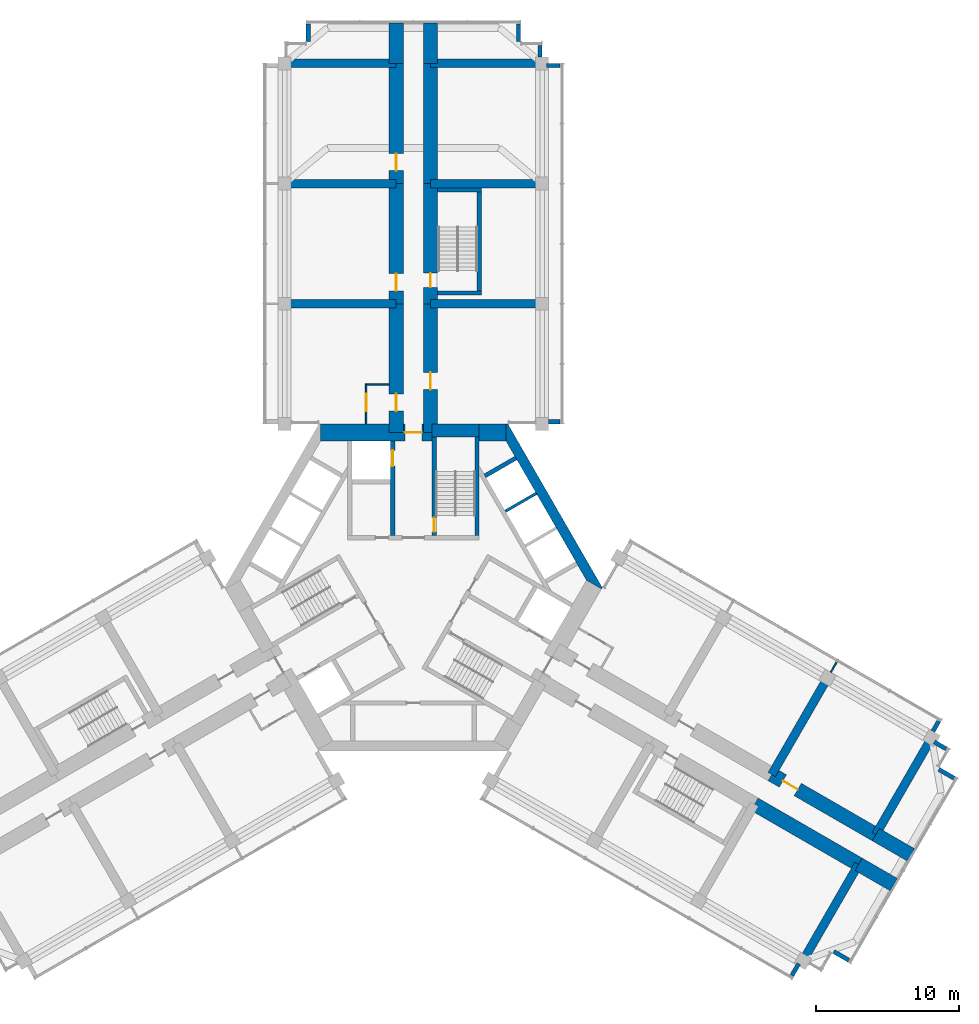
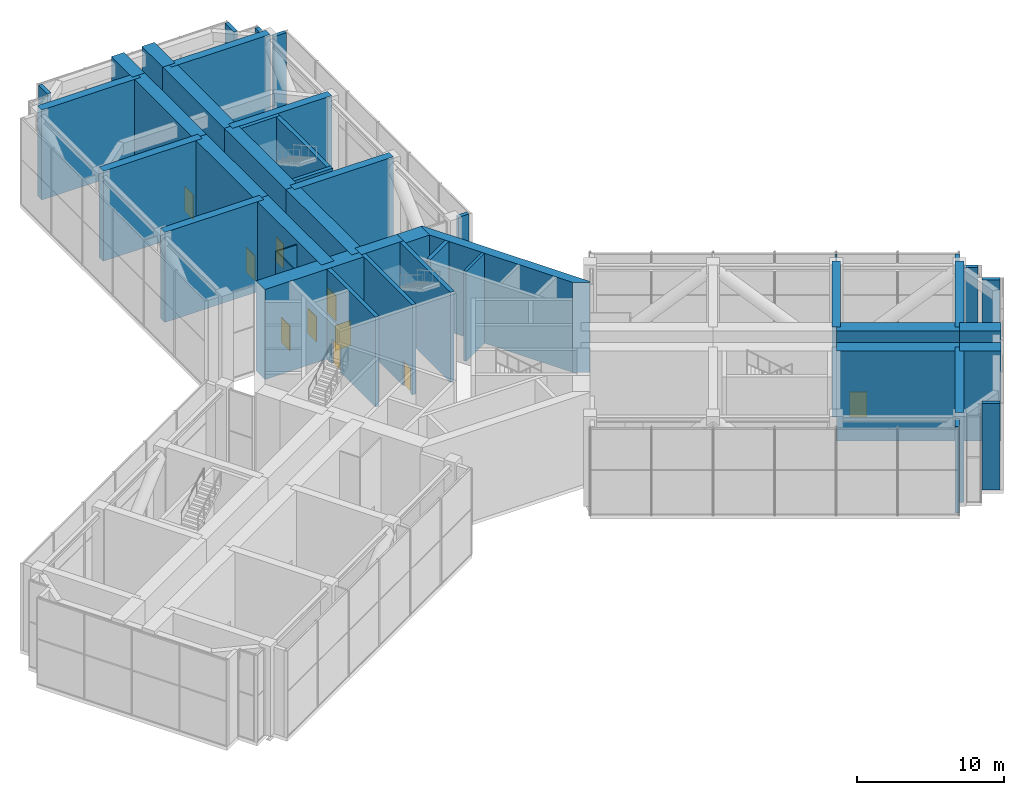
# One storey, part 14 of 16: 46 walls, 10 doors, 10 openings.
"""IFC4 building model written with IfcOpenShell, lengths in metres."""

from ifc_helpers import new_model, si_unit, direction, frame, frame_2d, origin, place, context, subcontext, project, spatial, polyline, rectangle, outline, extrude, material, layer, layer_set, type_object, element, fill, save


model = new_model("IFC4")

# Units and contexts
model_context = context("Model", 3, precision=1e-05, world=origin(), true_north=direction((0.0, 1.0)))
body_context = subcontext(model_context, "Body", "Model", "MODEL_VIEW")
ifc_project = project(units=[si_unit("LENGTHUNIT", "METRE"), si_unit("AREAUNIT", "SQUARE_METRE"), si_unit("VOLUMEUNIT", "CUBIC_METRE"), si_unit("PLANEANGLEUNIT", "RADIAN"), si_unit("MASSUNIT", "GRAM", prefix="KILO")], contexts=[model_context])

# Site, building, storey
site_placement = place(None, origin())
site = spatial("IfcSite", under=ifc_project, at=site_placement, CompositionType="ELEMENT")
building_placement = place(site_placement, origin())
building = spatial("IfcBuilding", under=site, at=building_placement, Name="Impinga Residences", CompositionType="ELEMENT")
storey_placement = place(building_placement, frame((0.0, 0.0, 181.0)))
storey = spatial("IfcBuildingStorey", under=building, at=storey_placement, Name="L45", CompositionType="ELEMENT", Elevation=181.0)

# Wall, opening, door
ifc_material_1 = material(Name="Concrete blockwork", Category="masonry")
ifc_layer_1 = layer(ifc_material_1, 0.10009765625)
ifc_layer_set_1 = layer_set([ifc_layer_1], Name="CP1 core room partition, blockwork 100")
wall_type_1 = type_object("IfcWallType", Name="CP1 core room partition, blockwork 100", PredefinedType="PARTITIONING", material=ifc_layer_set_1)
wall_1_placement = place(storey_placement, frame((-3.300048828125, 11.431640625, 0.0), z_axis=(0.0, 0.0, 1.0), x_axis=(0.0, 1.0, 0.0)))
wall_1 = element("IfcWall", 1, at=wall_1_placement, inside=storey, type_object=wall_type_1, Name="Core room partition, blockwork L45-NA1:L1", PredefinedType="PARTITIONING", context=body_context, shape_type="SweptSolid", body=[
    extrude(rectangle(XDim=2.7998046875, YDim=0.10009765625, at=frame_2d((1.39990234375, 0.0))), origin(), (0.0, 0.0, 1.0), 7.199951171875),
])
opening_1_placement = place(wall_1_placement, frame((0.89990234375, 0.0, 0.0)))
opening_1 = element("IfcOpeningElement", 2, at=opening_1_placement, cuts=wall_1, Name="Opening D3", PredefinedType="OPENING", context=body_context, shape_type="SweptSolid", body=[
    extrude(rectangle(XDim=1.199951171875, YDim=2.10009765625, at=frame_2d((0.60009765625, 1.050048828125))), frame((0.0, 0.06005859375, 0.0), z_axis=(0.0, -1.0, 0.0), x_axis=(1.0, 0.0, 0.0)), (0.0, 0.0, 1.0), 0.1201171875),
])
ifc_material_2 = material(Name="Timber door set", Category="wood")
door_type_1 = type_object("IfcDoorType", Name="D3 room door, leaf and a half 1200x2100", OperationType="DOUBLE_SWING_LEFT", PredefinedType="DOOR", material=ifc_material_2)
door_1_placement = place(opening_1_placement, origin())
door_1 = element("IfcDoor", 3, at=door_1_placement, inside=storey, type_object=door_type_1, Name="Booster pump plant room door L45-NA1", OperationType="DOUBLE_SWING_LEFT", OverallHeight=2.10009765625, OverallWidth=1.199951171875, PredefinedType="DOOR", context=body_context, shape_type="SweptSolid", body=[
    extrude(rectangle(XDim=1.199951171875, YDim=2.10009765625, at=frame_2d((0.60009765625, 1.050048828125))), frame((0.0, 0.02490234375, 0.0), z_axis=(0.0, -1.0, 0.0), x_axis=(1.0, 0.0, 0.0)), (0.0, 0.0, 1.0), 0.050048828125),
])
fill(opening_1, door_1)

# Walls
wall_2_placement = place(storey_placement, frame((-1.699951171875, 14.181640625, 0.0), z_axis=(0.0, 0.0, 1.0), x_axis=(-1.0, 0.0, 0.0)))
element("IfcWall", 4, at=wall_2_placement, inside=storey, type_object=wall_type_1, Name="Core room partition, blockwork L45-NA1:L2", PredefinedType="PARTITIONING", context=body_context, shape_type="SweptSolid", body=[
    extrude(rectangle(XDim=1.550048828125, YDim=0.10009765625, at=frame_2d((0.77490234375, 0.0))), origin(), (0.0, 0.0, 1.0), 7.199951171875),
])
wall_3_placement = place(storey_placement, frame((29.17431640625, -5.931884765625, 0.0), z_axis=(0.0, 0.0, 1.0), x_axis=(0.499739859431, 0.866175543926, 0.0)))
element("IfcWall", 5, at=wall_3_placement, inside=storey, type_object=wall_type_1, Name="Core room partition, blockwork L45-EA1:PS2b", PredefinedType="PARTITIONING", context=body_context, shape_type="SweptSolid", body=[
    extrude(rectangle(XDim=0.8095703125, YDim=0.10009765625, at=frame_2d((0.40478515625, 0.0))), origin(), (0.0, 0.0, 1.0), 7.199951171875),
])
ifc_material_3 = material(Name="Stone facing on blockwork", Category="masonry")
ifc_layer_2 = layer(ifc_material_3, 0.300048828125)
ifc_layer_set_2 = layer_set([ifc_layer_2], Name="EW2 external wall, stone facing on blockwork 300")
wall_type_2 = type_object("IfcWallType", Name="EW2 external wall, stone facing on blockwork 300", PredefinedType="SOLIDWALL", material=ifc_layer_set_2)
for number, where, z_axis, x_axis, name in (
    (6, (-7.35009765625, 38.174072265625, 0.0), (0.0, 0.0, 1.0), (0.0, 1.0, 0.0), "External wall EW2 L45"),
    (7, (7.35009765625, 39.388916015625, 0.0), (0.0, 0.0, 1.0), (0.0, -1.0, 0.0), "External wall EW2 L45"),
):
    element("IfcWall", number, at=place(storey_placement, frame(where, z_axis=z_axis, x_axis=x_axis)), inside=storey, type_object=wall_type_2, Name=name, PredefinedType="SOLIDWALL", context=body_context, shape_type="SweptSolid", body=[
        extrude(rectangle(XDim=1.21484375, YDim=0.300048828125, at=frame_2d((0.607421875, 0.0))), origin(), (0.0, 0.0, 1.0), 7.199951171875),
    ])
wall_4_placement = place(storey_placement, frame((8.85009765625, 37.888916015625, 0.0), z_axis=(0.0, 0.0, 1.0), x_axis=(0.0, -1.0, 0.0)))
element("IfcWall", 8, at=wall_4_placement, inside=storey, type_object=wall_type_2, Name="External wall EW2 L45", PredefinedType="SOLIDWALL", context=body_context, shape_type="SweptSolid", body=[
    extrude(rectangle(XDim=0.804443359375, YDim=0.300048828125, at=frame_2d((0.40234375, 0.0))), origin(), (0.0, 0.0, 1.0), 7.199951171875),
])
wall_5_placement = place(storey_placement, frame((9.300048828125, 36.4814453125, 0.0), z_axis=(0.0, 0.0, 1.0), x_axis=(1.0, 0.0, 0.0)))
element("IfcWall", 9, at=wall_5_placement, inside=storey, type_object=wall_type_2, Name="External wall EW2 L45", PredefinedType="SOLIDWALL", context=body_context, shape_type="SweptSolid", body=[
    extrude(rectangle(XDim=0.95751953125, YDim=0.300048828125, at=frame_2d((0.478759765625, 0.0))), origin(), (0.0, 0.0, 1.0), 7.199951171875),
])
wall_6_placement = place(storey_placement, frame((10.257568359375, 11.58154296875, 0.0), z_axis=(0.0, 0.0, 1.0), x_axis=(-1.0, 0.0, 0.0)))
element("IfcWall", 10, at=wall_6_placement, inside=storey, type_object=wall_type_2, Name="External wall EW2 L45", PredefinedType="SOLIDWALL", context=body_context, shape_type="SweptSolid", body=[
    extrude(rectangle(XDim=0.8046875, YDim=0.300048828125, at=frame_2d((0.40234375, 0.0))), origin(), (0.0, 0.0, 1.0), 7.199951171875),
])
wall_7_placement = place(storey_placement, frame((36.72265625, -9.357421875, 0.0), z_axis=(0.0, 0.0, 1.0), x_axis=(-0.4998275386, -0.866124951527, 0.0)))
element("IfcWall", 11, at=wall_7_placement, inside=storey, type_object=wall_type_2, Name="External wall EW2 L45", PredefinedType="SOLIDWALL", context=body_context, shape_type="SweptSolid", body=[
    extrude(rectangle(XDim=0.804443359375, YDim=0.300048828125, at=frame_2d((0.40234375, 0.0))), origin(), (0.0, 0.0, 1.0), 7.199951171875),
])
wall_8_placement = place(storey_placement, frame((36.40869140625, -10.801513671875, 0.0), z_axis=(0.0, 0.0, 1.0), x_axis=(0.865990234582, -0.500060909899, 0.0)))
element("IfcWall", 12, at=wall_8_placement, inside=storey, type_object=wall_type_2, Name="External wall EW2 L45", PredefinedType="SOLIDWALL", context=body_context, shape_type="SweptSolid", body=[
    extrude(rectangle(XDim=0.95751953125, YDim=0.300048828125, at=frame_2d((0.478759765625, 0.0))), origin(), (0.0, 0.0, 1.0), 7.199951171875),
])
for number, where, z_axis, x_axis, name in (
    (13, (36.734619140625, -12.7216796875, 0.0), (0.0, 0.0, 1.0), (0.865971428223, -0.500093476763, 0.0), "External wall EW2 L45"),
    (14, (30.43701171875, -26.059814453125, 0.0), (0.0, 0.0, 1.0), (-0.866058436235, 0.499942781752, 0.0), "External wall EW2 L45"),
):
    element("IfcWall", number, at=place(storey_placement, frame(where, z_axis=z_axis, x_axis=x_axis)), inside=storey, type_object=wall_type_2, Name=name, PredefinedType="SOLIDWALL", context=body_context, shape_type="SweptSolid", body=[
        extrude(rectangle(XDim=1.215087890625, YDim=0.300048828125, at=frame_2d((0.607421875, 0.0))), origin(), (0.0, 0.0, 1.0), 7.199951171875),
    ])
wall_9_placement = place(storey_placement, frame((26.94384765625, -26.294921875, 0.0), z_axis=(0.0, 0.0, 1.0), x_axis=(-0.500060909899, -0.865990234582, 0.0)))
element("IfcWall", 15, at=wall_9_placement, inside=storey, type_object=wall_type_2, Name="External wall EW2 L45", PredefinedType="SOLIDWALL", context=body_context, shape_type="SweptSolid", body=[
    extrude(rectangle(XDim=0.95751953125, YDim=0.300048828125, at=frame_2d((0.478759765625, 0.0))), origin(), (0.0, 0.0, 1.0), 7.199951171875),
])

# Wall, opening, door
ifc_material_4 = material(Name="Concrete C60/75", Category="concrete")
ifc_layer_3 = layer(ifc_material_4, 1.0)
ifc_layer_set_3 = layer_set([ifc_layer_3], Name="Concrete C60/75")
wall_type_3 = type_object("IfcWallType", Name="OW1 outrigger wall on the corridor line 1000", PredefinedType="SHEAR", material=ifc_layer_set_3)
wall_10_placement = place(storey_placement, frame((-1.199951171875, 10.83154296875, 0.0), z_axis=(0.0, 0.0, 1.0), x_axis=(0.0, 1.0, 0.0)))
wall_10 = element("IfcWall", 16, at=wall_10_placement, inside=storey, type_object=wall_type_3, Name="Corridor wall OW1 NC L45", PredefinedType="SHEAR", context=body_context, shape_type="SweptSolid", body=[
    extrude(rectangle(XDim=9.0, YDim=1.0, at=frame_2d((4.5, 0.0))), origin(), (0.0, 0.0, 1.0), 7.5),
])
opening_2_placement = place(wall_10_placement, frame((1.5, 0.0, 0.0)))
opening_2 = element("IfcOpeningElement", 17, at=opening_2_placement, cuts=wall_10, Name="Opening D3", PredefinedType="OPENING", context=body_context, shape_type="SweptSolid", body=[
    extrude(rectangle(XDim=1.199951171875, YDim=2.10009765625, at=frame_2d((0.60009765625, 1.050048828125))), frame((0.0, 0.510009765625, 0.0), z_axis=(0.0, -1.0, 0.0), x_axis=(1.0, 0.0, 0.0)), (0.0, 0.0, 1.0), 1.02001953125),
])
door_2_placement = place(opening_2_placement, origin())
door_2 = element("IfcDoor", 18, at=door_2_placement, inside=storey, type_object=door_type_1, Name="Plant room lobby door L45-NA1", OperationType="DOUBLE_SWING_LEFT", OverallHeight=2.10009765625, OverallWidth=1.199951171875, PredefinedType="DOOR", context=body_context, shape_type="SweptSolid", body=[
    extrude(rectangle(XDim=1.199951171875, YDim=2.10009765625, at=frame_2d((0.60009765625, 1.050048828125))), frame((0.0, 0.02490234375, 0.0), z_axis=(0.0, -1.0, 0.0), x_axis=(1.0, 0.0, 0.0)), (0.0, 0.0, 1.0), 0.050048828125),
])
fill(opening_2, door_2)

wall_11_placement = place(storey_placement, frame((-1.199951171875, 19.83154296875, 0.0), z_axis=(0.0, 0.0, 1.0), x_axis=(0.0, 1.0, 0.0)))
wall_11 = element("IfcWall", 19, at=wall_11_placement, inside=storey, type_object=wall_type_3, Name="Corridor wall OW1 NC L45", PredefinedType="SHEAR", context=body_context, shape_type="SweptSolid", body=[
    extrude(rectangle(XDim=8.39990234375, YDim=1.0, at=frame_2d((4.199951171875, 0.0))), origin(), (0.0, 0.0, 1.0), 7.5),
])
opening_3_placement = place(wall_11_placement, frame((0.89990234375, 0.0, 0.0)))
opening_3 = element("IfcOpeningElement", 20, at=opening_3_placement, cuts=wall_11, Name="Opening D3", PredefinedType="OPENING", context=body_context, shape_type="SweptSolid", body=[
    extrude(rectangle(XDim=1.199951171875, YDim=2.10009765625, at=frame_2d((0.60009765625, 1.050048828125))), frame((0.0, 0.510009765625, 0.0), z_axis=(0.0, -1.0, 0.0), x_axis=(1.0, 0.0, 0.0)), (0.0, 0.0, 1.0), 1.02001953125),
])
door_3_placement = place(opening_3_placement, origin())
door_3 = element("IfcDoor", 21, at=door_3_placement, inside=storey, type_object=door_type_1, Name="Air handling plant room door L45-NA1", OperationType="DOUBLE_SWING_LEFT", OverallHeight=2.10009765625, OverallWidth=1.199951171875, PredefinedType="DOOR", context=body_context, shape_type="SweptSolid", body=[
    extrude(rectangle(XDim=1.199951171875, YDim=2.10009765625, at=frame_2d((0.60009765625, 1.050048828125))), frame((0.0, 0.02490234375, 0.0), z_axis=(0.0, -1.0, 0.0), x_axis=(1.0, 0.0, 0.0)), (0.0, 0.0, 1.0), 0.050048828125),
])
fill(opening_3, door_3)

wall_12_placement = place(storey_placement, frame((-1.199951171875, 28.2314453125, 0.0), z_axis=(0.0, 0.0, 1.0), x_axis=(0.0, 1.0, 0.0)))
wall_12 = element("IfcWall", 22, at=wall_12_placement, inside=storey, type_object=wall_type_3, Name="Corridor wall OW1 NC L45", PredefinedType="SHEAR", context=body_context, shape_type="SweptSolid", body=[
    extrude(rectangle(XDim=8.400146484375, YDim=1.0, at=frame_2d((4.2001953125, 0.0))), origin(), (0.0, 0.0, 1.0), 7.5),
])
opening_4_placement = place(wall_12_placement, frame((0.89990234375, 0.0, 0.0)))
opening_4 = element("IfcOpeningElement", 23, at=opening_4_placement, cuts=wall_12, Name="Opening D3", PredefinedType="OPENING", context=body_context, shape_type="SweptSolid", body=[
    extrude(rectangle(XDim=1.199951171875, YDim=2.10009765625, at=frame_2d((0.60009765625, 1.050048828125))), frame((0.0, 0.510009765625, 0.0), z_axis=(0.0, -1.0, 0.0), x_axis=(1.0, 0.0, 0.0)), (0.0, 0.0, 1.0), 1.02001953125),
])
door_4_placement = place(opening_4_placement, origin())
door_4 = element("IfcDoor", 24, at=door_4_placement, inside=storey, type_object=door_type_1, Name="Electrical switchgear plant room door L45-NA1", OperationType="DOUBLE_SWING_LEFT", OverallHeight=2.10009765625, OverallWidth=1.199951171875, PredefinedType="DOOR", context=body_context, shape_type="SweptSolid", body=[
    extrude(rectangle(XDim=1.199951171875, YDim=2.10009765625, at=frame_2d((0.60009765625, 1.050048828125))), frame((0.0, 0.02490234375, 0.0), z_axis=(0.0, -1.0, 0.0), x_axis=(1.0, 0.0, 0.0)), (0.0, 0.0, 1.0), 0.050048828125),
])
fill(opening_4, door_4)

# Wall
wall_13_placement = place(storey_placement, frame((-1.199951171875, 36.631591796875, 0.0), z_axis=(0.0, 0.0, 1.0), x_axis=(0.0, 1.0, 0.0)))
element("IfcWall", 25, at=wall_13_placement, inside=storey, type_object=wall_type_3, Name="Corridor wall OW1 NC L45", PredefinedType="SHEAR", context=body_context, shape_type="SweptSolid", body=[
    extrude(rectangle(XDim=2.8388671875, YDim=1.0, at=frame_2d((1.41943359375, 0.0))), origin(), (0.0, 0.0, 1.0), 7.5),
])

# Wall, opening, door
wall_14_placement = place(storey_placement, frame((1.199951171875, 10.83154296875, 0.0), z_axis=(0.0, 0.0, 1.0), x_axis=(0.0, 1.0, 0.0)))
wall_14 = element("IfcWall", 26, at=wall_14_placement, inside=storey, type_object=wall_type_3, Name="Corridor wall OW1 ND L45", PredefinedType="SHEAR", context=body_context, shape_type="SweptSolid", body=[
    extrude(rectangle(XDim=9.0, YDim=1.0, at=frame_2d((4.5, 0.0))), origin(), (0.0, 0.0, 1.0), 7.5),
])
opening_5_placement = place(wall_14_placement, frame((3.0, 0.0, 0.0)))
opening_5 = element("IfcOpeningElement", 27, at=opening_5_placement, cuts=wall_14, Name="Opening D3", PredefinedType="OPENING", context=body_context, shape_type="SweptSolid", body=[
    extrude(rectangle(XDim=1.199951171875, YDim=2.10009765625, at=frame_2d((0.60009765625, 1.050048828125))), frame((0.0, 0.510009765625, 0.0), z_axis=(0.0, -1.0, 0.0), x_axis=(1.0, 0.0, 0.0)), (0.0, 0.0, 1.0), 1.02001953125),
])
door_5_placement = place(opening_5_placement, origin())
door_5 = element("IfcDoor", 28, at=door_5_placement, inside=storey, type_object=door_type_1, Name="Refuge area door L45-NF1", OperationType="DOUBLE_SWING_LEFT", OverallHeight=2.10009765625, OverallWidth=1.199951171875, PredefinedType="DOOR", context=body_context, shape_type="SweptSolid", body=[
    extrude(rectangle(XDim=1.199951171875, YDim=2.10009765625, at=frame_2d((0.60009765625, 1.050048828125))), frame((0.0, 0.02490234375, 0.0), z_axis=(0.0, -1.0, 0.0), x_axis=(1.0, 0.0, 0.0)), (0.0, 0.0, 1.0), 0.050048828125),
])
fill(opening_5, door_5)

wall_15_placement = place(storey_placement, frame((1.199951171875, 19.83154296875, 0.0), z_axis=(0.0, 0.0, 1.0), x_axis=(0.0, 1.0, 0.0)))
wall_15 = element("IfcWall", 29, at=wall_15_placement, inside=storey, type_object=wall_type_3, Name="Corridor wall OW1 ND L45", PredefinedType="SHEAR", context=body_context, shape_type="SweptSolid", body=[
    extrude(rectangle(XDim=8.39990234375, YDim=1.0, at=frame_2d((4.199951171875, 0.0))), origin(), (0.0, 0.0, 1.0), 7.5),
])
opening_6_placement = place(wall_15_placement, frame((1.14990234375, 0.0, 0.0)))
opening_6 = element("IfcOpeningElement", 30, at=opening_6_placement, cuts=wall_15, Name="Opening D5", PredefinedType="OPENING", context=body_context, shape_type="SweptSolid", body=[
    extrude(rectangle(XDim=1.0, YDim=2.10009765625, at=frame_2d((0.5, 1.050048828125))), frame((0.0, 0.510009765625, 0.0), z_axis=(0.0, -1.0, 0.0), x_axis=(1.0, 0.0, 0.0)), (0.0, 0.0, 1.0), 1.02001953125),
])
door_type_2 = type_object("IfcDoorType", Name="D5 stair door 1000x2100", OperationType="SINGLE_SWING_LEFT", PredefinedType="DOOR", material=ifc_material_2)
door_6_placement = place(opening_6_placement, origin())
door_6 = element("IfcDoor", 31, at=door_6_placement, inside=storey, type_object=door_type_2, Name="Wing stair door N", OperationType="SINGLE_SWING_LEFT", OverallHeight=2.10009765625, OverallWidth=1.0, PredefinedType="DOOR", context=body_context, shape_type="SweptSolid", body=[
    extrude(rectangle(XDim=1.0, YDim=2.10009765625, at=frame_2d((0.5, 1.050048828125))), frame((0.0, 0.02490234375, 0.0), z_axis=(0.0, -1.0, 0.0), x_axis=(1.0, 0.0, 0.0)), (0.0, 0.0, 1.0), 0.050048828125),
])
fill(opening_6, door_6)

# Walls
wall_16_placement = place(storey_placement, frame((1.199951171875, 28.2314453125, 0.0), z_axis=(0.0, 0.0, 1.0), x_axis=(0.0, 1.0, 0.0)))
element("IfcWall", 32, at=wall_16_placement, inside=storey, type_object=wall_type_3, Name="Corridor wall OW1 ND L45", PredefinedType="SHEAR", context=body_context, shape_type="SweptSolid", body=[
    extrude(rectangle(XDim=8.400146484375, YDim=1.0, at=frame_2d((4.2001953125, 0.0))), origin(), (0.0, 0.0, 1.0), 7.5),
])
wall_17_placement = place(storey_placement, frame((1.199951171875, 36.631591796875, 0.0), z_axis=(0.0, 0.0, 1.0), x_axis=(0.0, 1.0, 0.0)))
element("IfcWall", 33, at=wall_17_placement, inside=storey, type_object=wall_type_3, Name="Corridor wall OW1 ND L45", PredefinedType="SHEAR", context=body_context, shape_type="SweptSolid", body=[
    extrude(rectangle(XDim=2.8388671875, YDim=1.0, at=frame_2d((1.41943359375, 0.0))), origin(), (0.0, 0.0, 1.0), 7.5),
])

# Wall, opening, door
wall_18_placement = place(storey_placement, frame((25.04931640625, -13.076416015625, 0.0), z_axis=(0.0, 0.0, 1.0), x_axis=(0.866009402589, -0.500027713859, 0.0)))
wall_18 = element("IfcWall", 34, at=wall_18_placement, inside=storey, type_object=wall_type_3, Name="Corridor wall OW1 EC L45", PredefinedType="SHEAR", context=body_context, shape_type="SweptSolid", body=[
    extrude(rectangle(XDim=8.39990234375, YDim=1.0, at=frame_2d((4.199951171875, 0.0))), origin(), (0.0, 0.0, 1.0), 7.5),
])
opening_7_placement = place(wall_18_placement, frame((0.89990234375, 0.0, 0.0)))
opening_7 = element("IfcOpeningElement", 35, at=opening_7_placement, cuts=wall_18, Name="Opening D3", PredefinedType="OPENING", context=body_context, shape_type="SweptSolid", body=[
    extrude(rectangle(XDim=1.199951171875, YDim=2.10009765625, at=frame_2d((0.60009765625, 1.050048828125))), frame((0.0, 0.510009765625, 0.0), z_axis=(0.0, -1.0, 0.0), x_axis=(1.0, 0.0, 0.0)), (0.0, 0.0, 1.0), 1.02001953125),
])
door_7_placement = place(opening_7_placement, origin())
door_7 = element("IfcDoor", 36, at=door_7_placement, inside=storey, type_object=door_type_1, Name="Fire pump plant room door L45-EA1", OperationType="DOUBLE_SWING_LEFT", OverallHeight=2.10009765625, OverallWidth=1.199951171875, PredefinedType="DOOR", context=body_context, shape_type="SweptSolid", body=[
    extrude(rectangle(XDim=1.199951171875, YDim=2.10009765625, at=frame_2d((0.60009765625, 1.050048828125))), frame((0.0, 0.02490234375, 0.0), z_axis=(0.0, -1.0, 0.0), x_axis=(1.0, 0.0, 0.0)), (0.0, 0.0, 1.0), 0.050048828125),
])
fill(opening_7, door_7)

# Walls
wall_19_placement = place(storey_placement, frame((32.32373046875, -17.276611328125, 0.0), z_axis=(0.0, 0.0, 1.0), x_axis=(0.866043818878, -0.499968102766, 0.0)))
element("IfcWall", 37, at=wall_19_placement, inside=storey, type_object=wall_type_3, Name="Corridor wall OW1 EC L45", PredefinedType="SHEAR", context=body_context, shape_type="SweptSolid", body=[
    extrude(rectangle(XDim=2.839111328125, YDim=1.0, at=frame_2d((1.41943359375, 0.0))), origin(), (0.0, 0.0, 1.0), 7.5),
])
wall_20_placement = place(storey_placement, frame((23.84912109375, -15.155029296875, 0.0), z_axis=(0.0, 0.0, 1.0), x_axis=(0.86602925447, -0.499993330357, 0.0)))
element("IfcWall", 38, at=wall_20_placement, inside=storey, type_object=wall_type_3, Name="Corridor wall OW1 ED L45", PredefinedType="SHEAR", context=body_context, shape_type="SweptSolid", body=[
    extrude(rectangle(XDim=8.39990234375, YDim=1.0, at=frame_2d((4.199951171875, 0.0))), origin(), (0.0, 0.0, 1.0), 7.5),
])
wall_21_placement = place(storey_placement, frame((31.123779296875, -19.35498046875, 0.0), z_axis=(0.0, 0.0, 1.0), x_axis=(0.866043818878, -0.499968102766, 0.0)))
element("IfcWall", 39, at=wall_21_placement, inside=storey, type_object=wall_type_3, Name="Corridor wall OW1 ED L45", PredefinedType="SHEAR", context=body_context, shape_type="SweptSolid", body=[
    extrude(rectangle(XDim=2.839111328125, YDim=1.0, at=frame_2d((1.41943359375, 0.0))), origin(), (0.0, 0.0, 1.0), 7.5),
])
ifc_layer_4 = layer(ifc_material_4, 0.60009765625)
ifc_layer_set_4 = layer_set([ifc_layer_4], Name="Concrete C60/75")
wall_type_4 = type_object("IfcWallType", Name="OW2 outrigger arm wall to the perimeter columns 600", PredefinedType="SHEAR", material=ifc_layer_set_4)
for number, where, z_axis, x_axis, name in (
    (40, (-1.199951171875, 19.83154296875, 0.0), (0.0, 0.0, 1.0), (-1.0, 0.0, 0.0), "Outrigger wall OW2 N2/NA L45"),
    (41, (1.199951171875, 19.83154296875, 0.0), (0.0, 0.0, 1.0), (1.0, 0.0, 0.0), "Outrigger wall OW2 N2/NF L45"),
    (42, (-1.199951171875, 28.2314453125, 0.0), (0.0, 0.0, 1.0), (-1.0, 0.0, 0.0), "Outrigger wall OW2 N3/NA L45"),
    (43, (1.199951171875, 28.2314453125, 0.0), (0.0, 0.0, 1.0), (1.0, 0.0, 0.0), "Outrigger wall OW2 N3/NF L45"),
    (44, (-1.199951171875, 36.631591796875, 0.0), (0.0, 0.0, 1.0), (-1.0, 0.0, 0.0), "Outrigger wall OW2 N4/NA L45"),
    (45, (1.199951171875, 36.631591796875, 0.0), (0.0, 0.0, 1.0), (1.0, 0.0, 0.0), "Outrigger wall OW2 N4/NF L45"),
):
    element("IfcWall", number, at=place(storey_placement, frame(where, z_axis=z_axis, x_axis=x_axis)), inside=storey, type_object=wall_type_4, Name=name, PredefinedType="SHEAR", context=body_context, shape_type="SweptSolid", body=[
        extrude(rectangle(XDim=7.800048828125, YDim=0.60009765625, at=frame_2d((3.89990234375, 0.0))), origin(), (0.0, 0.0, 1.0), 7.5),
    ])
wall_22_placement = place(storey_placement, frame((25.04931640625, -13.076416015625, 0.0), z_axis=(0.0, 0.0, 1.0), x_axis=(0.499997012787, 0.866027128446, 0.0)))
element("IfcWall", 46, at=wall_22_placement, inside=storey, type_object=wall_type_4, Name="Outrigger wall OW2 E3/EA L45", PredefinedType="SHEAR", context=body_context, shape_type="SweptSolid", body=[
    extrude(rectangle(XDim=7.7998046875, YDim=0.60009765625, at=frame_2d((3.89990234375, 0.0))), origin(), (0.0, 0.0, 1.0), 7.5),
])
wall_23_placement = place(storey_placement, frame((32.32373046875, -17.276611328125, 0.0), z_axis=(0.0, 0.0, 1.0), x_axis=(0.500006934395, 0.866021400173, 0.0)))
element("IfcWall", 47, at=wall_23_placement, inside=storey, type_object=wall_type_4, Name="Outrigger wall OW2 E4/EA L45", PredefinedType="SHEAR", context=body_context, shape_type="SweptSolid", body=[
    extrude(rectangle(XDim=7.80029296875, YDim=0.60009765625, at=frame_2d((3.900146484375, 0.0))), origin(), (0.0, 0.0, 1.0), 7.5),
])
wall_24_placement = place(storey_placement, frame((31.123779296875, -19.35498046875, 0.0), z_axis=(0.0, 0.0, 1.0), x_axis=(-0.499983459557, -0.866034953203, 0.0)))
element("IfcWall", 48, at=wall_24_placement, inside=storey, type_object=wall_type_4, Name="Outrigger wall OW2 E4/EF L45", PredefinedType="SHEAR", context=body_context, shape_type="SweptSolid", body=[
    extrude(rectangle(XDim=7.800048828125, YDim=0.60009765625, at=frame_2d((3.89990234375, 0.0))), origin(), (0.0, 0.0, 1.0), 7.5),
])
ifc_layer_5 = layer(ifc_material_4, 0.300048828125)
ifc_layer_set_5 = layer_set([ifc_layer_5], Name="Concrete C60/75")
wall_type_5 = type_object("IfcWallType", Name="SE1 wing stair enclosure wall 300", PredefinedType="SOLIDWALL", material=ifc_layer_set_5)
for number, where, z_axis, x_axis, name in (
    (49, (1.699951171875, 20.58154296875, 0.0), (0.0, 0.0, 1.0), (1.0, 0.0, 0.0), "Stair enclosure wall SE1 N END0 L45"),
    (50, (1.699951171875, 27.781494140625, 0.0), (0.0, 0.0, 1.0), (1.0, 0.0, 0.0), "Stair enclosure wall SE1 N END1 L45"),
):
    element("IfcWall", number, at=place(storey_placement, frame(where, z_axis=z_axis, x_axis=x_axis)), inside=storey, type_object=wall_type_5, Name=name, PredefinedType="SOLIDWALL", context=body_context, shape_type="SweptSolid", body=[
        extrude(rectangle(XDim=3.050048828125, YDim=0.300048828125, at=frame_2d((1.52490234375, 0.0))), origin(), (0.0, 0.0, 1.0), 7.5),
    ])
wall_25_placement = place(storey_placement, frame((4.60009765625, 20.7314453125, 0.0), z_axis=(0.0, 0.0, 1.0), x_axis=(0.0, 1.0, 0.0)))
element("IfcWall", 51, at=wall_25_placement, inside=storey, type_object=wall_type_5, Name="Stair enclosure wall SE1 N OUT L45", PredefinedType="SOLIDWALL", context=body_context, shape_type="SweptSolid", body=[
    extrude(rectangle(XDim=6.900146484375, YDim=0.300048828125, at=frame_2d((3.4501953125, 0.0))), origin(), (0.0, 0.0, 1.0), 7.5),
])
ifc_material_5 = material(Name="Concrete C70/85", Category="concrete")
ifc_layer_6 = layer(ifc_material_5, 0.89990234375)
ifc_layer_set_6 = layer_set([ifc_layer_6], Name="Concrete C70/85")
wall_type_6 = type_object("IfcWallType", Name="SW1 core wall 900", PredefinedType="SHEAR", material=ifc_layer_set_6)
wall_26_placement = place(storey_placement, frame((1.300048828125, 10.9814453125, 0.0), z_axis=(0.0, 0.0, 1.0), x_axis=(1.0, 0.0, 0.0)))
element("IfcWall", 52, at=wall_26_placement, inside=storey, type_object=wall_type_6, Name="Core wall SW1 N:FACE:ST L45", PredefinedType="SHEAR", context=body_context, shape_type="SweptSolid", body=[
    extrude(rectangle(XDim=3.300048828125, YDim=0.89990234375, at=frame_2d((1.64990234375, 0.0))), origin(), (0.0, 0.0, 1.0), 7.5),
])
ifc_layer_7 = layer(ifc_material_4, 0.699951171875)
ifc_layer_set_7 = layer_set([ifc_layer_7], Name="Concrete C60/75")
wall_type_7 = type_object("IfcWallType", Name="SW3 core wall 700", PredefinedType="SHEAR", material=ifc_layer_set_7)
wall_27_placement = place(storey_placement, origin())
element("IfcWall", 53, at=wall_27_placement, inside=storey, type_object=wall_type_7, Name="Core wall SW3 W:EXPOSED L45", PredefinedType="SHEAR", context=body_context, shape_type="SweptSolid", body=[
    extrude(outline(polyline([(13.199951171875, 0.0), (6.60009765625, 11.431640625), (6.484619140625, 11.431640625), (6.484619140625, 10.2314453125), (12.10302734375, 0.5), (13.142333984375, -0.10009765625), (13.199951171875, 0.0)])), origin(), (0.0, 0.0, 1.0), 7.5),
])

# Wall, opening, door
ifc_layer_8 = layer(ifc_material_5, 0.300048828125)
ifc_layer_set_8 = layer_set([ifc_layer_8], Name="Concrete C70/85")
wall_type_8 = type_object("IfcWallType", Name="SW5 core inner wall, stairs, shafts and lobbies 300", PredefinedType="SHEAR", material=ifc_layer_set_8)
wall_28_placement = place(storey_placement, frame((1.449951171875, 3.6298828125, 0.0), z_axis=(0.0, 0.0, 1.0), x_axis=(0.0, 1.0, 0.0)))
wall_28 = element("IfcWall", 54, at=wall_28_placement, inside=storey, type_object=wall_type_8, Name="Core wall SW5 N:ST-IN L45", PredefinedType="SHEAR", context=body_context, shape_type="SweptSolid", body=[
    extrude(rectangle(XDim=6.901611328125, YDim=0.300048828125, at=frame_2d((3.45068359375, 0.0))), origin(), (0.0, 0.0, 1.0), 7.5),
])
opening_8_placement = place(wall_28_placement, frame((0.25, 0.0, 0.0)))
opening_8 = element("IfcOpeningElement", 55, at=opening_8_placement, cuts=wall_28, Name="Opening D5", PredefinedType="OPENING", context=body_context, shape_type="SweptSolid", body=[
    extrude(rectangle(XDim=1.0, YDim=2.10009765625, at=frame_2d((0.5, 1.050048828125))), frame((0.0, 0.159912109375, 0.0), z_axis=(0.0, -1.0, 0.0), x_axis=(1.0, 0.0, 0.0)), (0.0, 0.0, 1.0), 0.320068359375),
])
door_8_placement = place(opening_8_placement, origin())
door_8 = element("IfcDoor", 56, at=door_8_placement, inside=storey, type_object=door_type_2, Name="Stair door N", OperationType="SINGLE_SWING_LEFT", OverallHeight=2.10009765625, OverallWidth=1.0, PredefinedType="DOOR", context=body_context, shape_type="SweptSolid", body=[
    extrude(rectangle(XDim=1.0, YDim=2.10009765625, at=frame_2d((0.5, 1.050048828125))), frame((0.0, 0.02490234375, 0.0), z_axis=(0.0, -1.0, 0.0), x_axis=(1.0, 0.0, 0.0)), (0.0, 0.0, 1.0), 0.050048828125),
])
fill(opening_8, door_8)

# Wall
wall_29_placement = place(storey_placement, frame((4.449951171875, 3.6298828125, 0.0), z_axis=(0.0, 0.0, 1.0), x_axis=(0.0, 1.0, 0.0)))
element("IfcWall", 57, at=wall_29_placement, inside=storey, type_object=wall_type_8, Name="Core wall SW5 N:ST-OUT L45", PredefinedType="SHEAR", context=body_context, shape_type="SweptSolid", body=[
    extrude(rectangle(XDim=6.901611328125, YDim=0.300048828125, at=frame_2d((3.45068359375, 0.0))), origin(), (0.0, 0.0, 1.0), 7.5),
])

# Wall, opening, door
wall_30_placement = place(storey_placement, frame((-1.449951171875, 3.6298828125, 0.0), z_axis=(0.0, 0.0, 1.0), x_axis=(0.0, 1.0, 0.0)))
wall_30 = element("IfcWall", 58, at=wall_30_placement, inside=storey, type_object=wall_type_8, Name="Core wall SW5 N:FF-IN L45", PredefinedType="SHEAR", context=body_context, shape_type="SweptSolid", body=[
    extrude(rectangle(XDim=6.6015625, YDim=0.300048828125, at=frame_2d((3.30078125, 0.0))), origin(), (0.0, 0.0, 1.0), 7.5),
])
opening_9_placement = place(wall_30_placement, frame((4.85009765625, 0.0, 0.0)))
opening_9 = element("IfcOpeningElement", 59, at=opening_9_placement, cuts=wall_30, Name="Opening LD2", PredefinedType="OPENING", context=body_context, shape_type="SweptSolid", body=[
    extrude(rectangle(XDim=1.10009765625, YDim=2.10009765625, at=frame_2d((0.550048828125, 1.050048828125))), frame((0.0, 0.159912109375, 0.0), z_axis=(0.0, -1.0, 0.0), x_axis=(1.0, 0.0, 0.0)), (0.0, 0.0, 1.0), 0.320068359375),
])
ifc_material_6 = material(Name="Steel lift landing door", Category="steel")
door_type_3 = type_object("IfcDoorType", Name="LD2 firefighting lift landing door 1100x2100", OperationType="DOUBLE_DOOR_SLIDING", PredefinedType="DOOR", material=ifc_material_6)
door_9_placement = place(opening_9_placement, origin())
door_9 = element("IfcDoor", 60, at=door_9_placement, inside=storey, type_object=door_type_3, Name="Firefighting lift landing door F1", OperationType="DOUBLE_DOOR_SLIDING", OverallHeight=2.10009765625, OverallWidth=1.10009765625, PredefinedType="DOOR", context=body_context, shape_type="SweptSolid", body=[
    extrude(rectangle(XDim=1.10009765625, YDim=2.10009765625, at=frame_2d((0.550048828125, 1.050048828125))), frame((0.0, 0.02490234375, 0.0), z_axis=(0.0, -1.0, 0.0), x_axis=(1.0, 0.0, 0.0)), (0.0, 0.0, 1.0), 0.050048828125),
])
fill(opening_9, door_9)

# Walls
wall_31_placement = place(storey_placement, frame((5.003662109375, 7.79638671875, 0.0), z_axis=(0.0, 0.0, 1.0), x_axis=(0.866022959057, 0.500004234368, 0.0)))
element("IfcWall", 61, at=wall_31_placement, inside=storey, type_object=wall_type_8, Name="Core wall SW5 W:BANK-L L45", PredefinedType="SHEAR", context=body_context, shape_type="SweptSolid", body=[
    extrude(rectangle(XDim=2.5, YDim=0.300048828125, at=frame_2d((1.25, 0.0))), origin(), (0.0, 0.0, 1.0), 7.5),
])
ifc_layer_9 = layer(ifc_material_5, 0.199951171875)
ifc_layer_set_9 = layer_set([ifc_layer_9], Name="Concrete C70/85")
wall_type_9 = type_object("IfcWallType", Name="SW6 lift shaft divider wall 200", PredefinedType="SHEAR", material=ifc_layer_set_9)
wall_32_placement = place(storey_placement, frame((6.4287109375, 5.328125, 0.0), z_axis=(0.0, 0.0, 1.0), x_axis=(0.866022959057, 0.500004234368, 0.0)))
element("IfcWall", 62, at=wall_32_placement, inside=storey, type_object=wall_type_9, Name="Core wall SW6 W:BANK-D1 L45", PredefinedType="SHEAR", context=body_context, shape_type="SweptSolid", body=[
    extrude(rectangle(XDim=2.5, YDim=0.199951171875, at=frame_2d((1.25, 0.0))), origin(), (0.0, 0.0, 1.0), 7.5),
])

# Wall, opening, door
ifc_layer_10 = layer(ifc_material_4, 1.199951171875)
ifc_layer_set_10 = layer_set([ifc_layer_10], Name="Concrete C60/75")
wall_type_10 = type_object("IfcWallType", Name="SW7 core wall, outrigger storey L45 wing faces 1200", PredefinedType="SHEAR", material=ifc_layer_set_10)
wall_33_placement = place(storey_placement, frame((-6.484619140625, 10.83154296875, 0.0), z_axis=(0.0, 0.0, 1.0), x_axis=(1.0, 0.0, 0.0)))
wall_33 = element("IfcWall", 63, at=wall_33_placement, inside=storey, type_object=wall_type_10, Name="Core wall SW7 N:FACE L45", PredefinedType="SHEAR", context=body_context, shape_type="SweptSolid", body=[
    extrude(rectangle(XDim=7.78466796875, YDim=1.199951171875, at=frame_2d((3.892333984375, 0.0))), origin(), (0.0, 0.0, 1.0), 7.5),
])
opening_10_placement = place(wall_33_placement, frame((5.884521484375, 0.0, 0.0)))
opening_10 = element("IfcOpeningElement", 64, at=opening_10_placement, cuts=wall_33, Name="Opening D9", PredefinedType="OPENING", context=body_context, shape_type="SweptSolid", body=[
    extrude(rectangle(XDim=1.199951171875, YDim=2.10009765625, at=frame_2d((0.60009765625, 1.050048828125))), frame((0.0, 0.60986328125, 0.0), z_axis=(0.0, -1.0, 0.0), x_axis=(1.0, 0.0, 0.0)), (0.0, 0.0, 1.0), 1.219970703125),
])
door_type_4 = type_object("IfcDoorType", Name="D9 firefighting lobby door, leaf and a half 1200x2100", OperationType="DOUBLE_SWING_LEFT", PredefinedType="DOOR", material=ifc_material_2)
door_10_placement = place(opening_10_placement, origin())
door_10 = element("IfcDoor", 65, at=door_10_placement, inside=storey, type_object=door_type_4, Name="Lobby door N", OperationType="DOUBLE_SWING_LEFT", OverallHeight=2.10009765625, OverallWidth=1.199951171875, PredefinedType="DOOR", context=body_context, shape_type="SweptSolid", body=[
    extrude(rectangle(XDim=1.199951171875, YDim=2.10009765625, at=frame_2d((0.60009765625, 1.050048828125))), frame((0.0, 0.02490234375, 0.0), z_axis=(0.0, -1.0, 0.0), x_axis=(1.0, 0.0, 0.0)), (0.0, 0.0, 1.0), 0.050048828125),
])
fill(opening_10, door_10)

# Wall
wall_34_placement = place(storey_placement, frame((4.60009765625, 10.83154296875, 0.0), z_axis=(0.0, 0.0, 1.0), x_axis=(1.0, 0.0, 0.0)))
element("IfcWall", 66, at=wall_34_placement, inside=storey, type_object=wall_type_10, Name="Core wall SW7 N:FACE:E L45", PredefinedType="SHEAR", context=body_context, shape_type="SweptSolid", body=[
    extrude(rectangle(XDim=1.884521484375, YDim=1.199951171875, at=frame_2d((0.9423828125, 0.0))), origin(), (0.0, 0.0, 1.0), 7.5),
])

save(model, "model.ifc")
